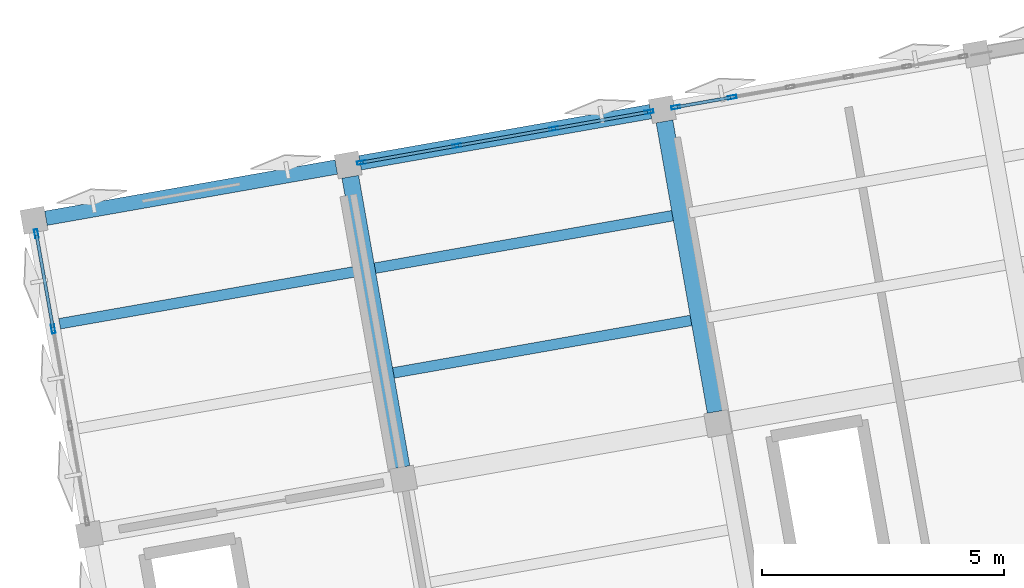
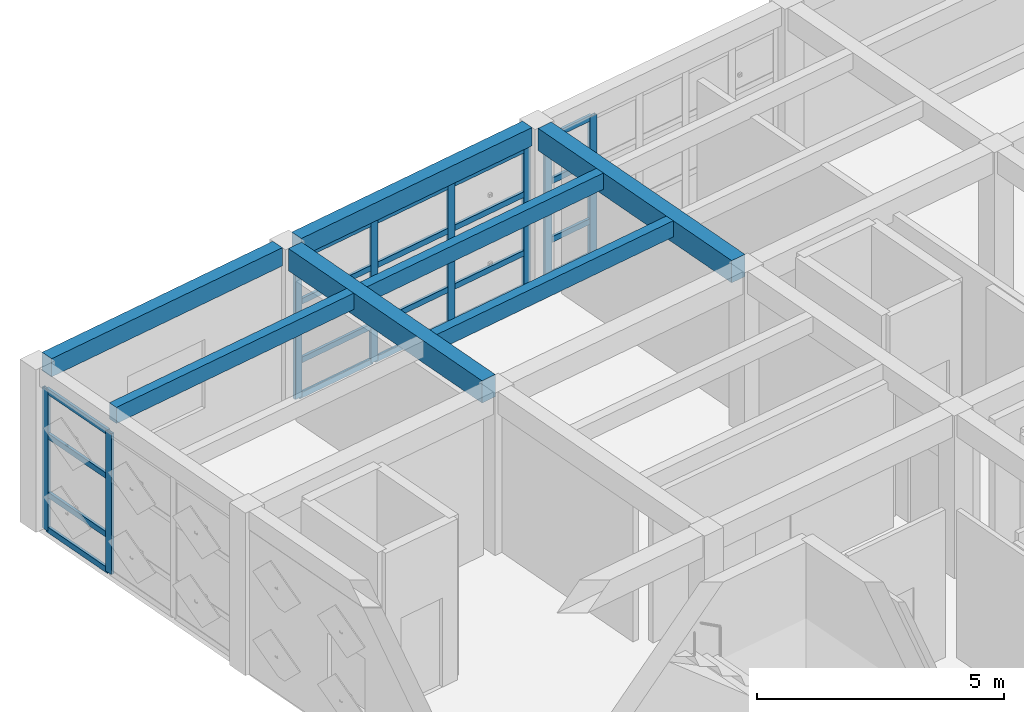
# One storey, part 6 of 13: 28 members, 7 beams, 3 elements without a shape of their own.
"""IFC4 building model written with IfcOpenShell, lengths in metres."""

from ifc_helpers import new_model, si_unit, direction, frame, origin, origin_2d, place, context, subcontext, project, spatial, rectangle, hollow_rectangle, extrude, material, layer, layer_set, material_profile, profile_set, type_object, element, aggregate, save


model = new_model("IFC4")

# Units and contexts
model_context = context("Model", 3, precision=1e-05, world=origin(), true_north=direction((0.0, 1.0)))
body_context = subcontext(model_context, "Body", "Model", "MODEL_VIEW")
ifc_project = project(units=[si_unit("LENGTHUNIT", "METRE"), si_unit("AREAUNIT", "SQUARE_METRE"), si_unit("VOLUMEUNIT", "CUBIC_METRE"), si_unit("PLANEANGLEUNIT", "RADIAN"), si_unit("MASSUNIT", "GRAM", prefix="KILO")], contexts=[model_context])

# Site, building, storey
site_placement = place(None, origin())
site = spatial("IfcSite", under=ifc_project, at=site_placement, CompositionType="ELEMENT")
building_placement = place(site_placement, origin())
building = spatial("IfcBuilding", under=site, at=building_placement, Name="Kharisveld Research Institute", CompositionType="ELEMENT")
storey_placement = place(building_placement, frame((0.0, 0.0, 45.0)))
storey = spatial("IfcBuildingStorey", under=building, at=storey_placement, Name="L10", CompositionType="ELEMENT", Elevation=45.0)

# Beams
ifc_material_1 = material(Name="Concrete C40/50", Category="concrete")
ifc_material_profile_1 = material_profile(ifc_material_1, rectangle(XDim=0.35009765625, YDim=0.550048828125, at=origin_2d()))
ifc_profile_set_1 = profile_set([ifc_material_profile_1], Name="Concrete C40/50")
beam_type_1 = type_object("IfcBeamType", Name="BM_RC_350x550", PredefinedType="BEAM", material=ifc_profile_set_1)
for number, where, z_axis, x_axis, name in (
    (1, (9.3642578125, 49.40185546875, 3.7451171875), (-0.173659757005, 0.984805711192, 0.0), (-0.984805711192, -0.173659757005, 0.0), "BM:V1:L10:V1_2"),
    (2, (15.864013671875, 50.5478515625, 3.7451171875), (-0.173659757005, 0.984805711192, 0.0), (-0.984805711192, -0.173659757005, 0.0), "BM:V1:L10:V2_2"),
):
    element("IfcBeam", number, at=place(storey_placement, frame(where, z_axis=z_axis, x_axis=x_axis)), inside=storey, type_object=beam_type_1, Name=name, PredefinedType="BEAM", context=body_context, shape_type="SweptSolid", body=[
        extrude(rectangle(XDim=0.35009765625, YDim=0.550048828125, at=origin_2d()), origin(), (0.0, 0.0, 1.0), 6.10009765625),
    ])

# Curtain wall, members
ifc_material_2 = material(Name="Thermally Broken Aluminium Curtain Wall", Category="aluminium")
ifc_layer_1 = layer(ifc_material_2, 0.159912109375)
ifc_layer_set_1 = layer_set([ifc_layer_1], Name="CW_SYS_05")
curtain_wall_type_1 = type_object("IfcCurtainWallType", Name="CW_SYS_05", PredefinedType="NOTDEFINED", material=ifc_layer_set_1)
curtain_wall_1_placement = place(storey_placement, origin())
curtain_wall_1 = element("IfcCurtainWall", 3, at=curtain_wall_1_placement, inside=storey, type_object=curtain_wall_type_1, Name="CW:V1:L10:W2", PredefinedType="NOTDEFINED")
ifc_material_3 = material(Name="Anodised Aluminium AW-6063-T6", Category="aluminium")
ifc_material_profile_2 = material_profile(ifc_material_3, hollow_rectangle(XDim=0.070068359375, YDim=0.179931640625, WallThickness=0.00439453125, at=origin_2d()))
ifc_profile_set_2 = profile_set([ifc_material_profile_2], Name="Anodised Aluminium AW-6063-T6")
member_type_1 = type_object("IfcMemberType", Name="CW_MUL_180", PredefinedType="MULLION", material=ifc_profile_set_2)
member_1_placement = place(storey_placement, frame((2.157958984375, 52.26220703125, 0.0), z_axis=(0.0, 0.0, 1.0), x_axis=(-0.984807766347, -0.173648102039, 0.0)))
member_1 = element("IfcMember", 4, at=member_1_placement, type_object=member_type_1, Name="CW-05 mullion 3", PredefinedType="MULLION", context=body_context, shape_type="SweptSolid", body=[
    extrude(hollow_rectangle(XDim=0.070068359375, YDim=0.179931640625, WallThickness=0.00439453125, at=origin_2d()), origin(), (0.0, 0.0, 1.0), 3.47998046875),
])
member_2_placement = place(storey_placement, frame((1.810302734375, 54.2333984375, 0.0), z_axis=(0.0, 0.0, 1.0), x_axis=(-0.984807766347, -0.173648102039, 0.0)))
member_2 = element("IfcMember", 5, at=member_2_placement, type_object=member_type_1, Name="CW-05 mullion 4", PredefinedType="MULLION", context=body_context, shape_type="SweptSolid", body=[
    extrude(hollow_rectangle(XDim=0.070068359375, YDim=0.179931640625, WallThickness=0.00439453125, at=origin_2d()), origin(), (0.0, 0.0, 1.0), 3.47998046875),
])

ifc_material_4 = material(Name="Thermally Broken Aluminium Curtain Wall", Category="aluminium")
ifc_layer_2 = layer(ifc_material_4, 0.159912109375)
ifc_layer_set_2 = layer_set([ifc_layer_2], Name="CW_SYS_06")
curtain_wall_type_2 = type_object("IfcCurtainWallType", Name="CW_SYS_06", PredefinedType="NOTDEFINED", material=ifc_layer_set_2)
curtain_wall_2_placement = place(storey_placement, origin())
curtain_wall_2 = element("IfcCurtainWall", 6, at=curtain_wall_2_placement, inside=storey, type_object=curtain_wall_type_2, Name="CW:V1:L10:N1", PredefinedType="NOTDEFINED")
member_3_placement = place(storey_placement, frame((8.537353515625, 55.703857421875, 0.0), z_axis=(0.0, 0.0, 1.0), x_axis=(-0.173648130021, 0.984807761413, 0.0)))
member_3 = element("IfcMember", 7, at=member_3_placement, type_object=member_type_1, Name="CW-06 mullion 1", PredefinedType="MULLION", context=body_context, shape_type="SweptSolid", body=[
    extrude(hollow_rectangle(XDim=0.070068359375, YDim=0.179931640625, WallThickness=0.00439453125, at=origin_2d()), origin(), (0.0, 0.0, 1.0), 3.47998046875),
])
member_4_placement = place(storey_placement, frame((10.508544921875, 56.051513671875, 0.0), z_axis=(0.0, 0.0, 1.0), x_axis=(-0.173648130021, 0.984807761413, 0.0)))
member_4 = element("IfcMember", 8, at=member_4_placement, type_object=member_type_1, Name="CW-06 mullion 2", PredefinedType="MULLION", context=body_context, shape_type="SweptSolid", body=[
    extrude(hollow_rectangle(XDim=0.070068359375, YDim=0.179931640625, WallThickness=0.00439453125, at=origin_2d()), origin(), (0.0, 0.0, 1.0), 3.47998046875),
])
member_5_placement = place(storey_placement, frame((12.51416015625, 56.405029296875, 0.0), z_axis=(0.0, 0.0, 1.0), x_axis=(-0.173648130021, 0.984807761413, 0.0)))
member_5 = element("IfcMember", 9, at=member_5_placement, type_object=member_type_1, Name="CW-06 mullion 3", PredefinedType="MULLION", context=body_context, shape_type="SweptSolid", body=[
    extrude(hollow_rectangle(XDim=0.070068359375, YDim=0.179931640625, WallThickness=0.00439453125, at=origin_2d()), origin(), (0.0, 0.0, 1.0), 3.47998046875),
])
member_6_placement = place(storey_placement, frame((14.485595703125, 56.752685546875, 0.0), z_axis=(0.0, 0.0, 1.0), x_axis=(-0.173648130021, 0.984807761413, 0.0)))
member_6 = element("IfcMember", 10, at=member_6_placement, type_object=member_type_1, Name="CW-06 mullion 4", PredefinedType="MULLION", context=body_context, shape_type="SweptSolid", body=[
    extrude(hollow_rectangle(XDim=0.070068359375, YDim=0.179931640625, WallThickness=0.00439453125, at=origin_2d()), origin(), (0.0, 0.0, 1.0), 3.47998046875),
])

ifc_material_5 = material(Name="Thermally Broken Aluminium Curtain Wall", Category="aluminium")
ifc_layer_3 = layer(ifc_material_5, 0.159912109375)
ifc_layer_set_3 = layer_set([ifc_layer_3], Name="CW_SYS_01")
curtain_wall_type_3 = type_object("IfcCurtainWallType", Name="CW_SYS_01", PredefinedType="NOTDEFINED", material=ifc_layer_set_3)
curtain_wall_3_placement = place(storey_placement, origin())
curtain_wall_3 = element("IfcCurtainWall", 11, at=curtain_wall_3_placement, inside=storey, type_object=curtain_wall_type_3, Name="CW:V1:L10:N2", PredefinedType="NOTDEFINED")
member_7_placement = place(storey_placement, frame((15.036865234375, 56.849853515625, 0.0), z_axis=(0.0, 0.0, 1.0), x_axis=(-0.173648102039, 0.984807766347, 0.0)))
member_7 = element("IfcMember", 12, at=member_7_placement, type_object=member_type_1, Name="CW-01 mullion 1", PredefinedType="MULLION", context=body_context, shape_type="SweptSolid", body=[
    extrude(hollow_rectangle(XDim=0.070068359375, YDim=0.179931640625, WallThickness=0.00439453125, at=origin_2d()), origin(), (0.0, 0.0, 1.0), 3.47998046875),
])
member_8_placement = place(storey_placement, frame((16.2060546875, 57.05615234375, 0.0), z_axis=(0.0, 0.0, 1.0), x_axis=(-0.173648102039, 0.984807766347, 0.0)))
member_8 = element("IfcMember", 13, at=member_8_placement, type_object=member_type_1, Name="CW-01 mullion 2", PredefinedType="MULLION", context=body_context, shape_type="SweptSolid", body=[
    extrude(hollow_rectangle(XDim=0.070068359375, YDim=0.179931640625, WallThickness=0.00439453125, at=origin_2d()), origin(), (0.0, 0.0, 1.0), 3.47998046875),
])

# Member
ifc_material_6 = material(Name="Anodised Aluminium AW-6063-T6", Category="aluminium")
ifc_material_profile_3 = material_profile(ifc_material_6, hollow_rectangle(XDim=0.06494140625, YDim=0.139892578125, WallThickness=0.00390625, at=origin_2d()))
ifc_profile_set_3 = profile_set([ifc_material_profile_3], Name="Anodised Aluminium AW-6063-T6")
member_type_2 = type_object("IfcMemberType", Name="CW_TRN_140", PredefinedType="USERDEFINED", material=ifc_profile_set_3)
member_9_placement = place(storey_placement, frame((2.15185546875, 52.296630859375, 0.032470703125), z_axis=(-0.173655552599, 0.984806452584, 0.0), x_axis=(-0.984806452584, -0.173655552599, 0.0)))
member_9 = element("IfcMember", 14, at=member_9_placement, type_object=member_type_2, Name="CW-05 transom 3.1", ObjectType="TRANSOM", PredefinedType="USERDEFINED", context=body_context, shape_type="SweptSolid", body=[
    extrude(hollow_rectangle(XDim=0.06494140625, YDim=0.139892578125, WallThickness=0.00390625, at=origin_2d()), origin(), (0.0, 0.0, 1.0), 1.931640625),
])

member_10_placement = place(storey_placement, frame((2.15185546875, 52.296630859375, 0.89990234375), z_axis=(-0.173655552599, 0.984806452584, 0.0), x_axis=(-0.984806452584, -0.173655552599, 0.0)))
member_10 = element("IfcMember", 15, at=member_10_placement, type_object=member_type_2, Name="CW-05 transom 3.2", ObjectType="TRANSOM", PredefinedType="USERDEFINED", context=body_context, shape_type="SweptSolid", body=[
    extrude(hollow_rectangle(XDim=0.06494140625, YDim=0.139892578125, WallThickness=0.00390625, at=origin_2d()), origin(), (0.0, 0.0, 1.0), 1.931640625),
])

member_11_placement = place(storey_placement, frame((2.15185546875, 52.296630859375, 2.35009765625), z_axis=(-0.173655552599, 0.984806452584, 0.0), x_axis=(-0.984806452584, -0.173655552599, 0.0)))
member_11 = element("IfcMember", 16, at=member_11_placement, type_object=member_type_2, Name="CW-05 transom 3.3", ObjectType="TRANSOM", PredefinedType="USERDEFINED", context=body_context, shape_type="SweptSolid", body=[
    extrude(hollow_rectangle(XDim=0.06494140625, YDim=0.139892578125, WallThickness=0.00390625, at=origin_2d()), origin(), (0.0, 0.0, 1.0), 1.931640625),
])

member_12_placement = place(storey_placement, frame((2.15185546875, 52.296630859375, 3.447509765625), z_axis=(-0.173655552599, 0.984806452584, 0.0), x_axis=(-0.984806452584, -0.173655552599, 0.0)))
member_12 = element("IfcMember", 17, at=member_12_placement, type_object=member_type_2, Name="CW-05 transom 3.4", ObjectType="TRANSOM", PredefinedType="USERDEFINED", context=body_context, shape_type="SweptSolid", body=[
    extrude(hollow_rectangle(XDim=0.06494140625, YDim=0.139892578125, WallThickness=0.00390625, at=origin_2d()), origin(), (0.0, 0.0, 1.0), 1.931640625),
])

aggregate(curtain_wall_1, [member_1, member_2, member_9, member_10, member_11, member_12])

member_13_placement = place(storey_placement, frame((8.57177734375, 55.7099609375, 0.032470703125), z_axis=(0.984806452584, 0.173655552599, 0.0), x_axis=(-0.173655552599, 0.984806452584, 0.0)))
member_13 = element("IfcMember", 18, at=member_13_placement, type_object=member_type_2, Name="CW-06 transom 1.1", ObjectType="TRANSOM", PredefinedType="USERDEFINED", context=body_context, shape_type="SweptSolid", body=[
    extrude(hollow_rectangle(XDim=0.06494140625, YDim=0.139892578125, WallThickness=0.00390625, at=origin_2d()), origin(), (0.0, 0.0, 1.0), 1.931640625),
])

member_14_placement = place(storey_placement, frame((8.57177734375, 55.7099609375, 0.89990234375), z_axis=(0.984806452584, 0.173655552599, 0.0), x_axis=(-0.173655552599, 0.984806452584, 0.0)))
member_14 = element("IfcMember", 19, at=member_14_placement, type_object=member_type_2, Name="CW-06 transom 1.2", ObjectType="TRANSOM", PredefinedType="USERDEFINED", context=body_context, shape_type="SweptSolid", body=[
    extrude(hollow_rectangle(XDim=0.06494140625, YDim=0.139892578125, WallThickness=0.00390625, at=origin_2d()), origin(), (0.0, 0.0, 1.0), 1.931640625),
])

member_15_placement = place(storey_placement, frame((8.57177734375, 55.7099609375, 2.35009765625), z_axis=(0.984806452584, 0.173655552599, 0.0), x_axis=(-0.173655552599, 0.984806452584, 0.0)))
member_15 = element("IfcMember", 20, at=member_15_placement, type_object=member_type_2, Name="CW-06 transom 1.3", ObjectType="TRANSOM", PredefinedType="USERDEFINED", context=body_context, shape_type="SweptSolid", body=[
    extrude(hollow_rectangle(XDim=0.06494140625, YDim=0.139892578125, WallThickness=0.00390625, at=origin_2d()), origin(), (0.0, 0.0, 1.0), 1.931640625),
])

member_16_placement = place(storey_placement, frame((8.57177734375, 55.7099609375, 3.447509765625), z_axis=(0.984806452584, 0.173655552599, 0.0), x_axis=(-0.173655552599, 0.984806452584, 0.0)))
member_16 = element("IfcMember", 21, at=member_16_placement, type_object=member_type_2, Name="CW-06 transom 1.4", ObjectType="TRANSOM", PredefinedType="USERDEFINED", context=body_context, shape_type="SweptSolid", body=[
    extrude(hollow_rectangle(XDim=0.06494140625, YDim=0.139892578125, WallThickness=0.00390625, at=origin_2d()), origin(), (0.0, 0.0, 1.0), 1.931640625),
])

member_17_placement = place(storey_placement, frame((10.54296875, 56.0576171875, 0.032470703125), z_axis=(0.984803548023, 0.173672023659, 0.0), x_axis=(-0.173672023659, 0.984803548023, 0.0)))
member_17 = element("IfcMember", 22, at=member_17_placement, type_object=member_type_2, Name="CW-06 transom 2.1", ObjectType="TRANSOM", PredefinedType="USERDEFINED", context=body_context, shape_type="SweptSolid", body=[
    extrude(hollow_rectangle(XDim=0.06494140625, YDim=0.139892578125, WallThickness=0.00390625, at=origin_2d()), origin(), (0.0, 0.0, 1.0), 1.966552734375),
])

member_18_placement = place(storey_placement, frame((10.54296875, 56.0576171875, 0.89990234375), z_axis=(0.984803548023, 0.173672023659, 0.0), x_axis=(-0.173672023659, 0.984803548023, 0.0)))
member_18 = element("IfcMember", 23, at=member_18_placement, type_object=member_type_2, Name="CW-06 transom 2.2", ObjectType="TRANSOM", PredefinedType="USERDEFINED", context=body_context, shape_type="SweptSolid", body=[
    extrude(hollow_rectangle(XDim=0.06494140625, YDim=0.139892578125, WallThickness=0.00390625, at=origin_2d()), origin(), (0.0, 0.0, 1.0), 1.966552734375),
])

member_19_placement = place(storey_placement, frame((10.54296875, 56.0576171875, 2.35009765625), z_axis=(0.984803548023, 0.173672023659, 0.0), x_axis=(-0.173672023659, 0.984803548023, 0.0)))
member_19 = element("IfcMember", 24, at=member_19_placement, type_object=member_type_2, Name="CW-06 transom 2.3", ObjectType="TRANSOM", PredefinedType="USERDEFINED", context=body_context, shape_type="SweptSolid", body=[
    extrude(hollow_rectangle(XDim=0.06494140625, YDim=0.139892578125, WallThickness=0.00390625, at=origin_2d()), origin(), (0.0, 0.0, 1.0), 1.966552734375),
])

member_20_placement = place(storey_placement, frame((10.54296875, 56.0576171875, 3.447509765625), z_axis=(0.984803548023, 0.173672023659, 0.0), x_axis=(-0.173672023659, 0.984803548023, 0.0)))
member_20 = element("IfcMember", 25, at=member_20_placement, type_object=member_type_2, Name="CW-06 transom 2.4", ObjectType="TRANSOM", PredefinedType="USERDEFINED", context=body_context, shape_type="SweptSolid", body=[
    extrude(hollow_rectangle(XDim=0.06494140625, YDim=0.139892578125, WallThickness=0.00390625, at=origin_2d()), origin(), (0.0, 0.0, 1.0), 1.966552734375),
])

member_21_placement = place(storey_placement, frame((12.548583984375, 56.4111328125, 0.032470703125), z_axis=(0.984806452584, 0.173655552599, 0.0), x_axis=(-0.173655552599, 0.984806452584, 0.0)))
member_21 = element("IfcMember", 26, at=member_21_placement, type_object=member_type_2, Name="CW-06 transom 3.1", ObjectType="TRANSOM", PredefinedType="USERDEFINED", context=body_context, shape_type="SweptSolid", body=[
    extrude(hollow_rectangle(XDim=0.06494140625, YDim=0.139892578125, WallThickness=0.00390625, at=origin_2d()), origin(), (0.0, 0.0, 1.0), 1.931640625),
])

member_22_placement = place(storey_placement, frame((12.548583984375, 56.4111328125, 0.89990234375), z_axis=(0.984806452584, 0.173655552599, 0.0), x_axis=(-0.173655552599, 0.984806452584, 0.0)))
member_22 = element("IfcMember", 27, at=member_22_placement, type_object=member_type_2, Name="CW-06 transom 3.2", ObjectType="TRANSOM", PredefinedType="USERDEFINED", context=body_context, shape_type="SweptSolid", body=[
    extrude(hollow_rectangle(XDim=0.06494140625, YDim=0.139892578125, WallThickness=0.00390625, at=origin_2d()), origin(), (0.0, 0.0, 1.0), 1.931640625),
])

member_23_placement = place(storey_placement, frame((12.548583984375, 56.4111328125, 2.35009765625), z_axis=(0.984806452584, 0.173655552599, 0.0), x_axis=(-0.173655552599, 0.984806452584, 0.0)))
member_23 = element("IfcMember", 28, at=member_23_placement, type_object=member_type_2, Name="CW-06 transom 3.3", ObjectType="TRANSOM", PredefinedType="USERDEFINED", context=body_context, shape_type="SweptSolid", body=[
    extrude(hollow_rectangle(XDim=0.06494140625, YDim=0.139892578125, WallThickness=0.00390625, at=origin_2d()), origin(), (0.0, 0.0, 1.0), 1.931640625),
])

member_24_placement = place(storey_placement, frame((12.548583984375, 56.4111328125, 3.447509765625), z_axis=(0.984806452584, 0.173655552599, 0.0), x_axis=(-0.173655552599, 0.984806452584, 0.0)))
member_24 = element("IfcMember", 29, at=member_24_placement, type_object=member_type_2, Name="CW-06 transom 3.4", ObjectType="TRANSOM", PredefinedType="USERDEFINED", context=body_context, shape_type="SweptSolid", body=[
    extrude(hollow_rectangle(XDim=0.06494140625, YDim=0.139892578125, WallThickness=0.00390625, at=origin_2d()), origin(), (0.0, 0.0, 1.0), 1.931640625),
])

aggregate(curtain_wall_2, [member_3, member_4, member_5, member_6, member_13, member_14, member_15, member_16, member_17, member_18, member_19, member_20, member_21, member_22, member_23, member_24])

member_25_placement = place(storey_placement, frame((15.071533203125, 56.85595703125, 0.032470703125), z_axis=(0.984783558818, 0.173785333909, 0.0), x_axis=(-0.173785333909, 0.984783558818, 0.0)))
member_25 = element("IfcMember", 30, at=member_25_placement, type_object=member_type_2, Name="CW-01 transom 1.1", ObjectType="TRANSOM", PredefinedType="USERDEFINED", context=body_context, shape_type="SweptSolid", body=[
    extrude(hollow_rectangle(XDim=0.06494140625, YDim=0.139892578125, WallThickness=0.00390625, at=origin_2d()), origin(), (0.0, 0.0, 1.0), 1.116943359375),
])

member_26_placement = place(storey_placement, frame((15.071533203125, 56.85595703125, 0.89990234375), z_axis=(0.984783558818, 0.173785333909, 0.0), x_axis=(-0.173785333909, 0.984783558818, 0.0)))
member_26 = element("IfcMember", 31, at=member_26_placement, type_object=member_type_2, Name="CW-01 transom 1.2", ObjectType="TRANSOM", PredefinedType="USERDEFINED", context=body_context, shape_type="SweptSolid", body=[
    extrude(hollow_rectangle(XDim=0.06494140625, YDim=0.139892578125, WallThickness=0.00390625, at=origin_2d()), origin(), (0.0, 0.0, 1.0), 1.116943359375),
])

member_27_placement = place(storey_placement, frame((15.071533203125, 56.85595703125, 2.35009765625), z_axis=(0.984783558818, 0.173785333909, 0.0), x_axis=(-0.173785333909, 0.984783558818, 0.0)))
member_27 = element("IfcMember", 32, at=member_27_placement, type_object=member_type_2, Name="CW-01 transom 1.3", ObjectType="TRANSOM", PredefinedType="USERDEFINED", context=body_context, shape_type="SweptSolid", body=[
    extrude(hollow_rectangle(XDim=0.06494140625, YDim=0.139892578125, WallThickness=0.00390625, at=origin_2d()), origin(), (0.0, 0.0, 1.0), 1.116943359375),
])

member_28_placement = place(storey_placement, frame((15.071533203125, 56.85595703125, 3.447509765625), z_axis=(0.984783558818, 0.173785333909, 0.0), x_axis=(-0.173785333909, 0.984783558818, 0.0)))
member_28 = element("IfcMember", 33, at=member_28_placement, type_object=member_type_2, Name="CW-01 transom 1.4", ObjectType="TRANSOM", PredefinedType="USERDEFINED", context=body_context, shape_type="SweptSolid", body=[
    extrude(hollow_rectangle(XDim=0.06494140625, YDim=0.139892578125, WallThickness=0.00390625, at=origin_2d()), origin(), (0.0, 0.0, 1.0), 1.116943359375),
])

aggregate(curtain_wall_3, [member_7, member_8, member_25, member_26, member_27, member_28])

# Beams
ifc_material_7 = material(Name="Concrete C40/50", Category="concrete")
ifc_material_profile_4 = material_profile(ifc_material_7, rectangle(XDim=0.300048828125, YDim=0.449951171875, at=origin_2d()))
ifc_profile_set_4 = profile_set([ifc_material_profile_4], Name="Concrete C40/50")
beam_type_2 = type_object("IfcBeamType", Name="SP_RC_300x450", PredefinedType="SPANDREL", material=ifc_profile_set_4)
for number, where, z_axis, x_axis, name in (
    (34, (2.008056640625, 54.552490234375, 3.794921875), (0.984805711192, 0.173659757005, 0.0), (-0.173659757005, 0.984805711192, 0.0), "BM:V1:L10:U0_3"),
    (35, (8.5078125, 55.69873046875, 3.794921875), (0.984805711192, 0.173659757005, 0.0), (-0.173659757005, 0.984805711192, 0.0), "BM:V1:L10:U1_3"),
):
    element("IfcBeam", number, at=place(storey_placement, frame(where, z_axis=z_axis, x_axis=x_axis)), inside=storey, type_object=beam_type_2, Name=name, PredefinedType="SPANDREL", context=body_context, shape_type="SweptSolid", body=[
        extrude(rectangle(XDim=0.300048828125, YDim=0.449951171875, at=origin_2d()), origin(), (0.0, 0.0, 1.0), 6.10009765625),
    ])
ifc_material_8 = material(Name="Concrete C40/50", Category="concrete")
ifc_material_profile_5 = material_profile(ifc_material_8, rectangle(XDim=0.219970703125, YDim=0.39990234375, at=origin_2d()))
ifc_profile_set_5 = profile_set([ifc_material_profile_5], Name="Concrete C40/50")
beam_type_3 = type_object("IfcBeamType", Name="WB_RC_220x400", PredefinedType="JOIST", material=ifc_profile_set_5)
beam_placement = place(storey_placement, frame((2.29150390625, 52.36865234375, 3.820068359375), z_axis=(0.9848090074, 0.173641063528, 0.0), x_axis=(-0.173641063528, 0.9848090074, 0.0)))
element("IfcBeam", 36, at=beam_placement, inside=storey, type_object=beam_type_3, Name="BM:V1:L10:J_0_2_R2", PredefinedType="JOIST", context=body_context, shape_type="SweptSolid", body=[
    extrude(rectangle(XDim=0.219970703125, YDim=0.39990234375, at=origin_2d()), origin(), (0.0, 0.0, 1.0), 6.27490234375),
])
for number, where, z_axis, x_axis, name in (
    (37, (9.197998046875, 51.3525390625, 3.820068359375), (0.984810288083, 0.17363379995, 0.0), (-0.17363379995, 0.984810288083, 0.0), "BM:V1:L10:J_1_2_R1"),
    (38, (8.81591796875, 53.51904296875, 3.820068359375), (0.984803607817, 0.173671684596, 0.0), (-0.173671684596, 0.984803607817, 0.0), "BM:V1:L10:J_1_2_R2"),
):
    element("IfcBeam", number, at=place(storey_placement, frame(where, z_axis=z_axis, x_axis=x_axis)), inside=storey, type_object=beam_type_3, Name=name, PredefinedType="JOIST", context=body_context, shape_type="SweptSolid", body=[
        extrude(rectangle(XDim=0.219970703125, YDim=0.39990234375, at=origin_2d()), origin(), (0.0, 0.0, 1.0), 6.25),
    ])

save(model, "model.ifc")
